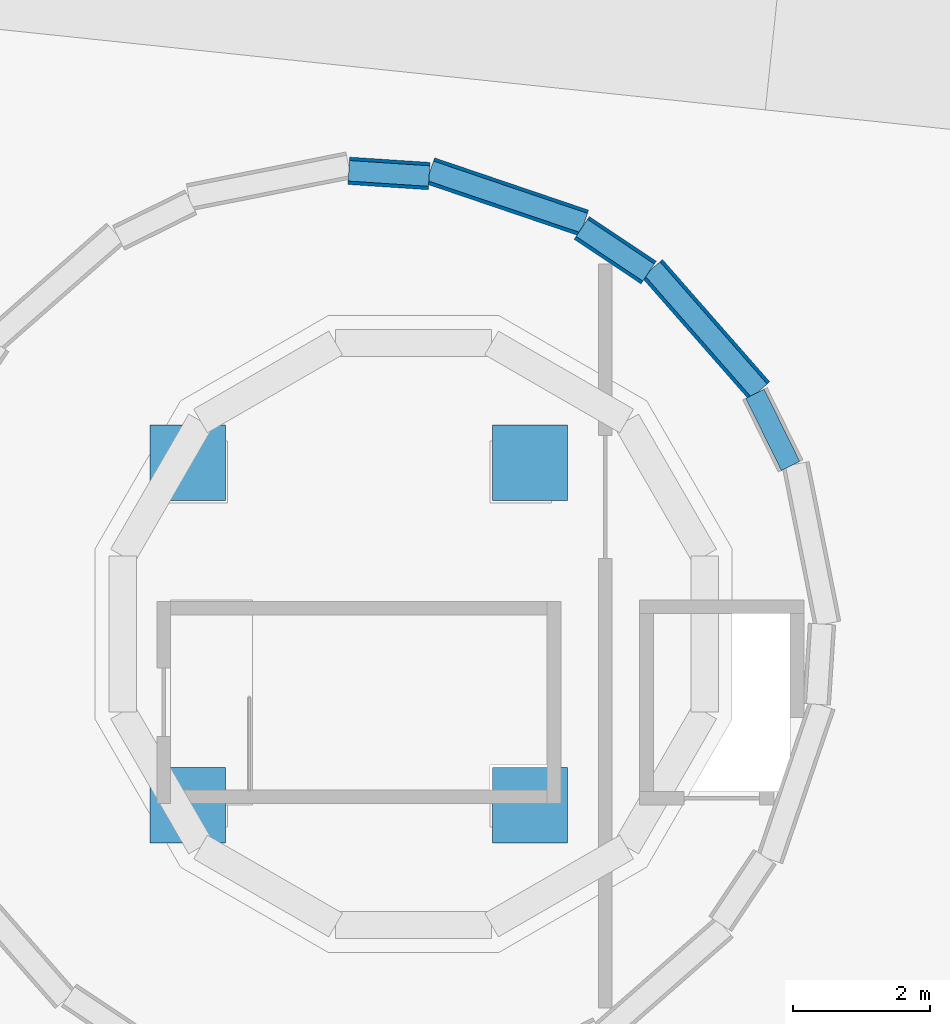
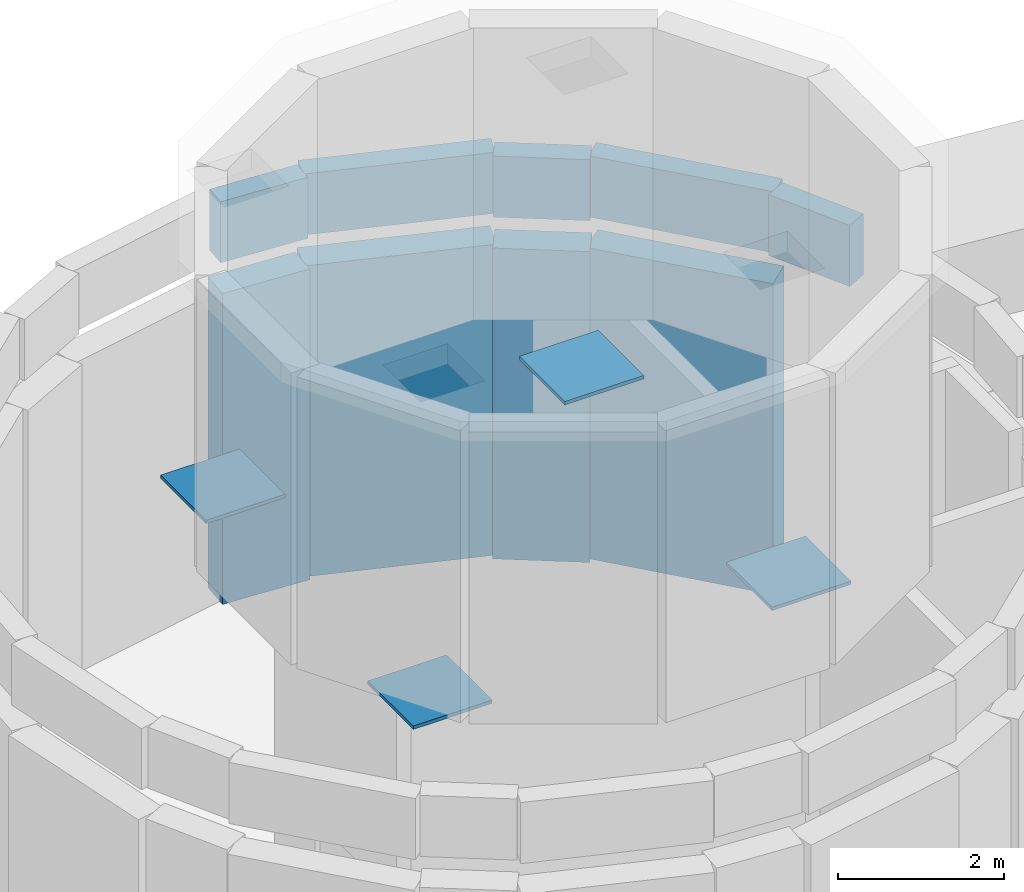
# One storey, part 2 of 3: 9 walls, 4 discrete accessories.
"""IFC4 building model written with IfcOpenShell, lengths in metres."""

from ifc_helpers import new_model, si_unit, direction, frame, frame_2d, origin, origin_2d, place, context, subcontext, project, spatial, rectangle, extrude, material, layer, layer_set, type_object, element, save


model = new_model("IFC4")

# Units and contexts
model_context = context("Model", 3, precision=1e-05, world=origin(), true_north=direction((0.0, 1.0)))
body_context = subcontext(model_context, "Body", "Model", "MODEL_VIEW")
ifc_project = project(units=[si_unit("LENGTHUNIT", "METRE"), si_unit("AREAUNIT", "SQUARE_METRE"), si_unit("VOLUMEUNIT", "CUBIC_METRE"), si_unit("PLANEANGLEUNIT", "RADIAN"), si_unit("MASSUNIT", "GRAM", prefix="KILO")], contexts=[model_context])

# Site, building, storey
site_placement = place(None, origin())
site = spatial("IfcSite", under=ifc_project, at=site_placement, CompositionType="ELEMENT")
building_placement = place(site_placement, origin())
building = spatial("IfcBuilding", under=site, at=building_placement, Name="Vidyagriha Tower", CompositionType="ELEMENT")
storey_placement = place(building_placement, frame((0.0, 0.0, 313.39990234375)))
storey = spatial("IfcBuildingStorey", under=building, at=storey_placement, Name="L80", CompositionType="ELEMENT", Elevation=313.39990234375)

# Walls
ifc_material_1 = material(Name="Precast concrete C40/50 with brick facing", Category="concrete")
ifc_layer_1 = layer(ifc_material_1, 0.300048828125)
ifc_layer_set_1 = layer_set([ifc_layer_1], Name="Precast concrete C40/50 with brick facing")
wall_type_1 = type_object("IfcWallType", Name="Brick parapet wall 300", PredefinedType="PARAPET", material=ifc_layer_set_1)
wall_1_placement = place(storey_placement, frame((6.3046875, 15.454345703125, 5.0), z_axis=(0.0, 0.0, 1.0), x_axis=(-0.442134435107, 0.896948795246, 0.0)))
element("IfcWall", 1, at=wall_1_placement, inside=storey, type_object=wall_type_1, Name="Drum roof parapet R02", PredefinedType="PARAPET", context=body_context, shape_type="SweptSolid", body=[
    extrude(rectangle(XDim=1.174560546875, YDim=0.300048828125, at=frame_2d((0.58740234375, 0.0))), origin(), (0.0, 0.0, 1.0), 0.900146484375),
])
wall_2_placement = place(storey_placement, frame((5.850341796875, 16.551513671875, 5.0), z_axis=(0.0, 0.0, 1.0), x_axis=(-0.659326702302, 0.751856568523, 0.0)))
element("IfcWall", 2, at=wall_2_placement, inside=storey, type_object=wall_type_1, Name="Drum roof parapet R03", PredefinedType="PARAPET", context=body_context, shape_type="SweptSolid", body=[
    extrude(rectangle(XDim=2.374755859375, YDim=0.300048828125, at=frame_2d((1.1875, 0.0))), origin(), (0.0, 0.0, 1.0), 0.900146484375),
])
wall_3_placement = place(storey_placement, frame((4.23291015625, 18.27783203125, 5.0), z_axis=(0.0, 0.0, 1.0), x_axis=(-0.831506353537, 0.55551524194, 0.0)))
element("IfcWall", 3, at=wall_3_placement, inside=storey, type_object=wall_type_1, Name="Drum roof parapet R04", PredefinedType="PARAPET", context=body_context, shape_type="SweptSolid", body=[
    extrude(rectangle(XDim=1.1748046875, YDim=0.300048828125, at=frame_2d((0.58740234375, 0.0))), origin(), (0.0, 0.0, 1.0), 0.900146484375),
])
wall_4_placement = place(storey_placement, frame((3.291015625, 19.000732421875, 5.0), z_axis=(0.0, 0.0, 1.0), x_axis=(-0.946921154093, 0.321465904771, 0.0)))
element("IfcWall", 4, at=wall_4_placement, inside=storey, type_object=wall_type_1, Name="Drum roof parapet R05", PredefinedType="PARAPET", context=body_context, shape_type="SweptSolid", body=[
    extrude(rectangle(XDim=2.374755859375, YDim=0.300048828125, at=frame_2d((1.1875, 0.0))), origin(), (0.0, 0.0, 1.0), 0.900146484375),
])
wall_5_placement = place(storey_placement, frame((1.02685546875, 19.687255859375, 5.0), z_axis=(0.0, 0.0, 1.0), x_axis=(-0.997854501177, 0.065470561939, 0.0)))
element("IfcWall", 5, at=wall_5_placement, inside=storey, type_object=wall_type_1, Name="Drum roof parapet R06", PredefinedType="PARAPET", context=body_context, shape_type="SweptSolid", body=[
    extrude(rectangle(XDim=1.174560546875, YDim=0.300048828125, at=frame_2d((0.58740234375, 0.0))), origin(), (0.0, 0.0, 1.0), 0.900146484375),
])
ifc_material_2 = material(Name="Precast concrete C40/50 with brick facing", Category="concrete")
ifc_layer_2 = layer(ifc_material_2, 0.39990234375)
ifc_layer_set_2 = layer_set([ifc_layer_2], Name="Precast concrete C40/50 with brick facing")
wall_type_2 = type_object("IfcWallType", Name="Brick-faced plant drum wall 400", PredefinedType="STANDARD", material=ifc_layer_set_2)
wall_6_placement = place(storey_placement, frame((5.850341796875, 16.551513671875, 0.0), z_axis=(0.0, 0.0, 1.0), x_axis=(-0.659326702302, 0.751856568523, 0.0)))
element("IfcWall", 6, at=wall_6_placement, inside=storey, type_object=wall_type_2, Name="Plant drum wall R03", PredefinedType="STANDARD", context=body_context, shape_type="SweptSolid", body=[
    extrude(rectangle(XDim=2.374755859375, YDim=0.39990234375, at=frame_2d((1.1875, 0.0))), origin(), (0.0, 0.0, 1.0), 4.580078125),
])
wall_7_placement = place(storey_placement, frame((4.23291015625, 18.27783203125, 0.0), z_axis=(0.0, 0.0, 1.0), x_axis=(-0.831506353537, 0.55551524194, 0.0)))
element("IfcWall", 7, at=wall_7_placement, inside=storey, type_object=wall_type_2, Name="Plant drum wall R04", PredefinedType="STANDARD", context=body_context, shape_type="SweptSolid", body=[
    extrude(rectangle(XDim=1.1748046875, YDim=0.39990234375, at=frame_2d((0.58740234375, 0.0))), origin(), (0.0, 0.0, 1.0), 4.580078125),
])
wall_8_placement = place(storey_placement, frame((3.291015625, 19.000732421875, 0.0), z_axis=(0.0, 0.0, 1.0), x_axis=(-0.946921154093, 0.321465904771, 0.0)))
element("IfcWall", 8, at=wall_8_placement, inside=storey, type_object=wall_type_2, Name="Plant drum wall R05", PredefinedType="STANDARD", context=body_context, shape_type="SweptSolid", body=[
    extrude(rectangle(XDim=2.374755859375, YDim=0.39990234375, at=frame_2d((1.1875, 0.0))), origin(), (0.0, 0.0, 1.0), 4.580078125),
])
wall_9_placement = place(storey_placement, frame((1.02685546875, 19.687255859375, 0.0), z_axis=(0.0, 0.0, 1.0), x_axis=(-0.997854501177, 0.065470561939, 0.0)))
element("IfcWall", 9, at=wall_9_placement, inside=storey, type_object=wall_type_2, Name="Plant drum wall R06", PredefinedType="STANDARD", context=body_context, shape_type="SweptSolid", body=[
    extrude(rectangle(XDim=1.174560546875, YDim=0.39990234375, at=frame_2d((0.58740234375, 0.0))), origin(), (0.0, 0.0, 1.0), 4.580078125),
])

# Discrete accessories
for number, where, name in (
    (10, (-2.5, 10.5, 5.0), "Broadcast mast leg 1 base plate"),
    (11, (2.5, 10.5, 5.0), "Broadcast mast leg 2 base plate"),
    (12, (2.5, 15.5, 5.0), "Broadcast mast leg 3 base plate"),
    (13, (-2.5, 15.5, 5.0), "Broadcast mast leg 4 base plate"),
):
    element("IfcDiscreteAccessory", number, at=place(storey_placement, frame(where)), inside=storey, Name=name, ObjectType="BASE PLATE", PredefinedType="USERDEFINED", context=body_context, shape_type="SweptSolid", body=[
        extrude(rectangle(XDim=1.10009765625, YDim=1.10009765625, at=origin_2d()), origin(), (0.0, 0.0, 1.0), 0.050048828125),
    ])

save(model, "model.ifc")
